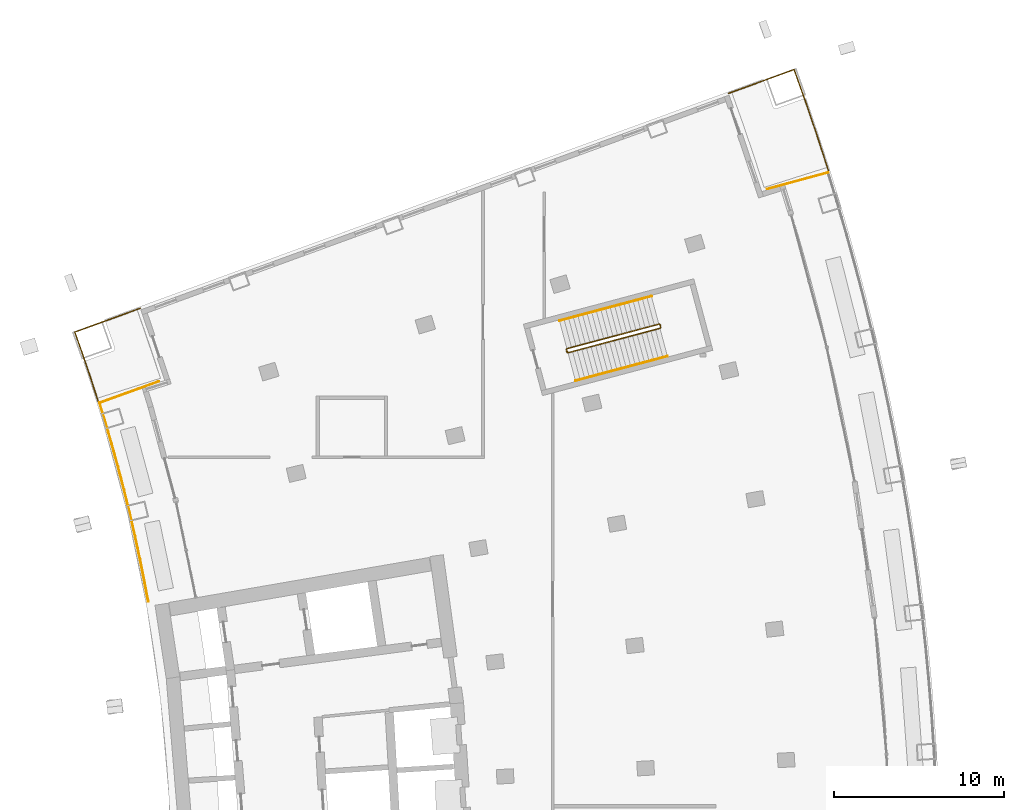
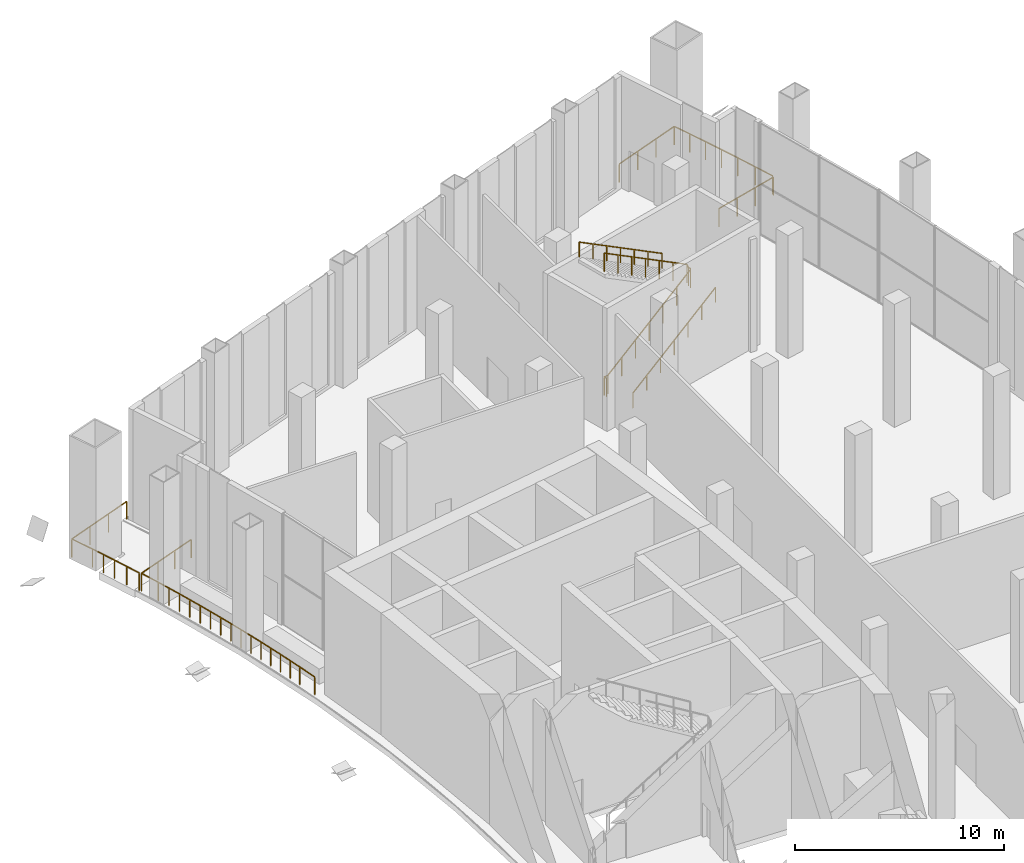
# One storey, part 17 of 18: 8 railings.
"""IFC4 building model written with IfcOpenShell, lengths in metres."""

from ifc_helpers import new_model, si_unit, direction, frame, origin, origin_2d, place, context, subcontext, project, spatial, rectangle, extrude, material, type_object, element, save


model = new_model("IFC4")

# Units and contexts
model_context = context("Model", 3, precision=1e-05, world=origin(), true_north=direction((0.0, 1.0)))
body_context = subcontext(model_context, "Body", "Model", "MODEL_VIEW")
ifc_project = project(units=[si_unit("LENGTHUNIT", "METRE"), si_unit("AREAUNIT", "SQUARE_METRE"), si_unit("VOLUMEUNIT", "CUBIC_METRE"), si_unit("PLANEANGLEUNIT", "RADIAN"), si_unit("MASSUNIT", "GRAM", prefix="KILO")], contexts=[model_context])

# Site, building, storey
site_placement = place(None, origin())
site = spatial("IfcSite", under=ifc_project, at=site_placement, CompositionType="ELEMENT")
building_placement = place(site_placement, origin())
building = spatial("IfcBuilding", under=site, at=building_placement, Name="Alderwake Tower", CompositionType="ELEMENT")
storey_placement = place(building_placement, frame((0.0, 0.0, 125.60009765625)))
storey = spatial("IfcBuildingStorey", under=building, at=storey_placement, Name="L31", CompositionType="ELEMENT", Elevation=125.60009765625)

# Railings
ifc_material_1 = material(Name="Stainless steel 316 rail and posts", Category="steel")
railing_type_1 = type_object("IfcRailingType", Name="Balcony guard 1100", PredefinedType="GUARDRAIL", material=ifc_material_1)
railing_1_placement = place(storey_placement, frame((54.594970703125, 103.348876953125, 0.0)))
element("IfcRailing", 1, at=railing_1_placement, inside=storey, type_object=railing_type_1, Name="Guard terrace FN", PredefinedType="GUARDRAIL", context=body_context, shape_type="SweptSolid", body=[
    extrude(rectangle(XDim=0.048095703125, YDim=0.048095703125, at=origin_2d()), frame((0.0, 0.0, 1.076171875), z_axis=(-0.307779974329, 0.951457559433, 0.0), x_axis=(-0.951457559433, -0.307779974329, 0.0)), (0.0, 0.0, 1.0), 2.257568359375),
    extrude(rectangle(XDim=0.048095703125, YDim=0.048095703125, at=origin_2d()), frame((-0.69482421875, 2.14794921875, 1.076171875), z_axis=(-0.322236651578, 0.946659146884, 0.0), x_axis=(-0.946659146884, -0.322236651578, 0.0)), (0.0, 0.0, 1.0), 2.057861328125),
    extrude(rectangle(XDim=0.048095703125, YDim=0.048095703125, at=origin_2d()), frame((-1.35791015625, 4.095947265625, 1.076171875), z_axis=(-0.335838646603, 0.941919531302, 0.0), x_axis=(-0.941919531302, -0.335838646603, 0.0)), (0.0, 0.0, 1.0), 1.957763671875),
    extrude(rectangle(XDim=0.048095703125, YDim=0.048095703125, at=origin_2d()), frame((-2.015380859375, 5.93994140625, 1.076171875), z_axis=(-0.939617696184, -0.342225926863, 0.0), x_axis=(0.342225926863, -0.939617696184, 0.0)), (0.0, 0.0, 1.0), 4.099853515625),
    extrude(rectangle(XDim=0.0419921875, YDim=0.0419921875, at=origin_2d()), frame((0.0, 0.0, 0.0), z_axis=(0.0, 0.0, 1.0), x_axis=(-0.307779974329, 0.951457559433, 0.0)), (0.0, 0.0, 1.0), 1.052001953125),
    extrude(rectangle(XDim=0.0419921875, YDim=0.0419921875, at=origin_2d()), frame((-0.347412109375, 1.073974609375, 0.0), z_axis=(0.0, 0.0, 1.0), x_axis=(-0.307779974329, 0.951457559433, 0.0)), (0.0, 0.0, 1.0), 1.052001953125),
    extrude(rectangle(XDim=0.0419921875, YDim=0.0419921875, at=origin_2d()), frame((-0.69482421875, 2.14794921875, 0.0), z_axis=(0.0, 0.0, 1.0), x_axis=(-0.322236651578, 0.946659146884, 0.0)), (0.0, 0.0, 1.0), 1.052001953125),
    extrude(rectangle(XDim=0.0419921875, YDim=0.0419921875, at=origin_2d()), frame((-1.0263671875, 3.1220703125, 0.0), z_axis=(0.0, 0.0, 1.0), x_axis=(-0.322236651578, 0.946659146884, 0.0)), (0.0, 0.0, 1.0), 1.052001953125),
    extrude(rectangle(XDim=0.0419921875, YDim=0.0419921875, at=origin_2d()), frame((-1.35791015625, 4.095947265625, 0.0), z_axis=(0.0, 0.0, 1.0), x_axis=(-0.335838646603, 0.941919531302, 0.0)), (0.0, 0.0, 1.0), 1.052001953125),
    extrude(rectangle(XDim=0.0419921875, YDim=0.0419921875, at=origin_2d()), frame((-1.6865234375, 5.01806640625, 0.0), z_axis=(0.0, 0.0, 1.0), x_axis=(-0.335838646603, 0.941919531302, 0.0)), (0.0, 0.0, 1.0), 1.052001953125),
    extrude(rectangle(XDim=0.0419921875, YDim=0.0419921875, at=origin_2d()), frame((-2.015380859375, 5.93994140625, 0.0), z_axis=(0.0, 0.0, 1.0), x_axis=(-0.939617696184, -0.342225926863, 0.0)), (0.0, 0.0, 1.0), 1.052001953125),
    extrude(rectangle(XDim=0.0419921875, YDim=0.0419921875, at=origin_2d()), frame((-3.299560546875, 5.47216796875, 0.0), z_axis=(0.0, 0.0, 1.0), x_axis=(-0.939617696184, -0.342225926863, 0.0)), (0.0, 0.0, 1.0), 1.052001953125),
    extrude(rectangle(XDim=0.0419921875, YDim=0.0419921875, at=origin_2d()), frame((-4.58349609375, 5.004638671875, 0.0), z_axis=(0.0, 0.0, 1.0), x_axis=(-0.939617696184, -0.342225926863, 0.0)), (0.0, 0.0, 1.0), 1.052001953125),
    extrude(rectangle(XDim=0.0419921875, YDim=0.0419921875, at=origin_2d()), frame((-5.86767578125, 4.536865234375, 0.0), z_axis=(0.0, 0.0, 1.0), x_axis=(-0.939617696184, -0.342225926863, 0.0)), (0.0, 0.0, 1.0), 1.052001953125),
])
railing_2_placement = place(storey_placement, frame((11.688720703125, 89.781982421875, 0.0)))
element("IfcRailing", 2, at=railing_2_placement, inside=storey, type_object=railing_type_1, Name="Guard terrace RN", PredefinedType="GUARDRAIL", context=body_context, shape_type="SweptSolid", body=[
    extrude(rectangle(XDim=0.048095703125, YDim=0.048095703125, at=origin_2d()), frame((0.0, 0.0, 1.076171875), z_axis=(-0.307479326145, 0.951554761426, 0.0), x_axis=(-0.951554761426, -0.307479326145, 0.0)), (0.0, 0.0, 1.0), 1.6015625),
    extrude(rectangle(XDim=0.048095703125, YDim=0.048095703125, at=origin_2d()), frame((-0.492431640625, 1.52392578125, 1.076171875), z_axis=(-0.322283727344, 0.946643121292, 0.0), x_axis=(-0.946643121292, -0.322283727344, 0.0)), (0.0, 0.0, 1.0), 1.4013671875),
    extrude(rectangle(XDim=0.048095703125, YDim=0.048095703125, at=origin_2d()), frame((-0.944091796875, 2.8505859375, 1.076171875), z_axis=(-0.335468607403, 0.942051385778, 0.0), x_axis=(-0.942051385778, -0.335468607403, 0.0)), (0.0, 0.0, 1.0), 1.30126953125),
    extrude(rectangle(XDim=0.048095703125, YDim=0.048095703125, at=origin_2d()), frame((-1.380615234375, 4.076416015625, 1.076171875), z_axis=(0.939708203232, 0.341977327873, 0.0), x_axis=(-0.341977327873, 0.939708203232, 0.0)), (0.0, 0.0, 1.0), 4.10009765625),
    extrude(rectangle(XDim=0.0419921875, YDim=0.0419921875, at=origin_2d()), frame((0.0, 0.0, 0.0), z_axis=(0.0, 0.0, 1.0), x_axis=(-0.307479326145, 0.951554761426, 0.0)), (0.0, 0.0, 1.0), 1.052001953125),
    extrude(rectangle(XDim=0.0419921875, YDim=0.0419921875, at=origin_2d()), frame((-0.24609375, 0.761962890625, 0.0), z_axis=(0.0, 0.0, 1.0), x_axis=(-0.307479326145, 0.951554761426, 0.0)), (0.0, 0.0, 1.0), 1.052001953125),
    extrude(rectangle(XDim=0.0419921875, YDim=0.0419921875, at=origin_2d()), frame((-0.492431640625, 1.52392578125, 0.0), z_axis=(0.0, 0.0, 1.0), x_axis=(-0.322283727344, 0.946643121292, 0.0)), (0.0, 0.0, 1.0), 1.052001953125),
    extrude(rectangle(XDim=0.0419921875, YDim=0.0419921875, at=origin_2d()), frame((-0.71826171875, 2.187255859375, 0.0), z_axis=(0.0, 0.0, 1.0), x_axis=(-0.322283727344, 0.946643121292, 0.0)), (0.0, 0.0, 1.0), 1.052001953125),
    extrude(rectangle(XDim=0.0419921875, YDim=0.0419921875, at=origin_2d()), frame((-0.944091796875, 2.8505859375, 0.0), z_axis=(0.0, 0.0, 1.0), x_axis=(-0.335468607403, 0.942051385778, 0.0)), (0.0, 0.0, 1.0), 1.052001953125),
    extrude(rectangle(XDim=0.0419921875, YDim=0.0419921875, at=origin_2d()), frame((-1.380615234375, 4.076416015625, 0.0), z_axis=(0.0, 0.0, 1.0), x_axis=(0.939708203232, 0.341977327873, 0.0)), (0.0, 0.0, 1.0), 1.052001953125),
    extrude(rectangle(XDim=0.0419921875, YDim=0.0419921875, at=origin_2d()), frame((-0.096435546875, 4.543701171875, 0.0), z_axis=(0.0, 0.0, 1.0), x_axis=(0.939708203232, 0.341977327873, 0.0)), (0.0, 0.0, 1.0), 1.052001953125),
    extrude(rectangle(XDim=0.0419921875, YDim=0.0419921875, at=origin_2d()), frame((1.18798828125, 5.01123046875, 0.0), z_axis=(0.0, 0.0, 1.0), x_axis=(0.939708203232, 0.341977327873, 0.0)), (0.0, 0.0, 1.0), 1.052001953125),
    extrude(rectangle(XDim=0.0419921875, YDim=0.0419921875, at=origin_2d()), frame((2.47216796875, 5.478515625, 0.0), z_axis=(0.0, 0.0, 1.0), x_axis=(0.939708203232, 0.341977327873, 0.0)), (0.0, 0.0, 1.0), 1.052001953125),
])
railing_3_placement = place(storey_placement, frame((54.5771484375, 103.23828125, 0.0)))
element("IfcRailing", 3, at=railing_3_placement, inside=storey, type_object=railing_type_1, Name="Guard garden terrace front end", PredefinedType="GUARDRAIL", context=body_context, shape_type="SweptSolid", body=[
    extrude(rectangle(XDim=0.048095703125, YDim=0.048095703125, at=origin_2d()), frame((0.0, 0.0, 1.076171875), z_axis=(-0.964915821237, -0.262559436939, 0.0), x_axis=(0.262559436939, -0.964915821237, 0.0)), (0.0, 0.0, 1.0), 3.70263671875),
    extrude(rectangle(XDim=0.0419921875, YDim=0.0419921875, at=origin_2d()), frame((0.0, 0.0, 0.0), z_axis=(0.0, 0.0, 1.0), x_axis=(-0.964915821237, -0.262559436939, 0.0)), (0.0, 0.0, 1.0), 1.052001953125),
    extrude(rectangle(XDim=0.0419921875, YDim=0.0419921875, at=origin_2d()), frame((-1.19091796875, -0.323974609375, 0.0), z_axis=(0.0, 0.0, 1.0), x_axis=(-0.964915821237, -0.262559436939, 0.0)), (0.0, 0.0, 1.0), 1.052001953125),
    extrude(rectangle(XDim=0.0419921875, YDim=0.0419921875, at=origin_2d()), frame((-2.3818359375, -0.648193359375, 0.0), z_axis=(0.0, 0.0, 1.0), x_axis=(-0.964915821237, -0.262559436939, 0.0)), (0.0, 0.0, 1.0), 1.052001953125),
    extrude(rectangle(XDim=0.0419921875, YDim=0.0419921875, at=origin_2d()), frame((-3.57275390625, -0.97216796875, 0.0), z_axis=(0.0, 0.0, 1.0), x_axis=(-0.964915821237, -0.262559436939, 0.0)), (0.0, 0.0, 1.0), 1.052001953125),
])
railing_4_placement = place(storey_placement, frame((14.62890625, 78.035888671875, 0.0)))
element("IfcRailing", 4, at=railing_4_placement, inside=storey, type_object=railing_type_1, Name="Guard garden terrace rear", PredefinedType="GUARDRAIL", context=body_context, shape_type="SweptSolid", body=[
    extrude(rectangle(XDim=0.048095703125, YDim=0.048095703125, at=origin_2d()), frame((0.0, 0.0, 1.076171875), z_axis=(-0.182977626426, 0.983117077579, 0.0), x_axis=(-0.983117077579, -0.182977626426, 0.0)), (0.0, 0.0, 1.0), 1.10205078125),
    extrude(rectangle(XDim=0.048095703125, YDim=0.048095703125, at=origin_2d()), frame((-0.20166015625, 1.08349609375, 1.076171875), z_axis=(-0.1955468343, 0.980694364007, 0.0), x_axis=(-0.980694364007, -0.1955468343, 0.0)), (0.0, 0.0, 1.0), 1.402099609375),
    extrude(rectangle(XDim=0.048095703125, YDim=0.048095703125, at=origin_2d()), frame((-0.475830078125, 2.45849609375, 1.076171875), z_axis=(-0.209957084556, 0.977710602707, 0.0), x_axis=(-0.977710602707, -0.209957084556, 0.0)), (0.0, 0.0, 1.0), 1.40234375),
    extrude(rectangle(XDim=0.048095703125, YDim=0.048095703125, at=origin_2d()), frame((-0.770263671875, 3.82958984375, 1.076171875), z_axis=(-0.224096426432, 0.974566976488, 0.0), x_axis=(-0.974566976488, -0.224096426432, 0.0)), (0.0, 0.0, 1.0), 1.402099609375),
    extrude(rectangle(XDim=0.048095703125, YDim=0.048095703125, at=origin_2d()), frame((-1.08447265625, 5.196044921875, 1.076171875), z_axis=(-0.238354767213, 0.971178153042, 0.0), x_axis=(-0.971178153042, -0.238354767213, 0.0)), (0.0, 0.0, 1.0), 1.40234375),
    extrude(rectangle(XDim=0.048095703125, YDim=0.048095703125, at=origin_2d()), frame((-1.418701171875, 6.557861328125, 1.076171875), z_axis=(-0.252478602314, 0.96760247797, 0.0), x_axis=(-0.96760247797, -0.252478602314, 0.0)), (0.0, 0.0, 1.0), 1.402099609375),
    extrude(rectangle(XDim=0.048095703125, YDim=0.048095703125, at=origin_2d()), frame((-1.772705078125, 7.91455078125, 1.076171875), z_axis=(-0.266386460688, 0.963866304817, 0.0), x_axis=(-0.963866304817, -0.266386460688, 0.0)), (0.0, 0.0, 1.0), 1.40234375),
    extrude(rectangle(XDim=0.048095703125, YDim=0.048095703125, at=origin_2d()), frame((-2.146240234375, 9.26611328125, 1.076171875), z_axis=(-0.280695326574, 0.959796923125, 0.0), x_axis=(-0.959796923125, -0.280695326574, 0.0)), (0.0, 0.0, 1.0), 1.402099609375),
    extrude(rectangle(XDim=0.048095703125, YDim=0.048095703125, at=origin_2d()), frame((-2.539794921875, 10.61181640625, 1.076171875), z_axis=(-0.293011807358, 0.95610882265, 0.0), x_axis=(-0.95610882265, -0.293011807358, 0.0)), (0.0, 0.0, 1.0), 1.102294921875),
    extrude(rectangle(XDim=0.0419921875, YDim=0.0419921875, at=origin_2d()), frame((0.0, 0.0, 0.0), z_axis=(0.0, 0.0, 1.0), x_axis=(-0.182977626426, 0.983117077579, 0.0)), (0.0, 0.0, 1.0), 1.052001953125),
    extrude(rectangle(XDim=0.0419921875, YDim=0.0419921875, at=origin_2d()), frame((-0.20166015625, 1.08349609375, 0.0), z_axis=(0.0, 0.0, 1.0), x_axis=(-0.1955468343, 0.980694364007, 0.0)), (0.0, 0.0, 1.0), 1.052001953125),
    extrude(rectangle(XDim=0.0419921875, YDim=0.0419921875, at=origin_2d()), frame((-0.3388671875, 1.77099609375, 0.0), z_axis=(0.0, 0.0, 1.0), x_axis=(-0.1955468343, 0.980694364007, 0.0)), (0.0, 0.0, 1.0), 1.052001953125),
    extrude(rectangle(XDim=0.0419921875, YDim=0.0419921875, at=origin_2d()), frame((-0.475830078125, 2.45849609375, 0.0), z_axis=(0.0, 0.0, 1.0), x_axis=(-0.209957084556, 0.977710602707, 0.0)), (0.0, 0.0, 1.0), 1.052001953125),
    extrude(rectangle(XDim=0.0419921875, YDim=0.0419921875, at=origin_2d()), frame((-0.623046875, 3.14404296875, 0.0), z_axis=(0.0, 0.0, 1.0), x_axis=(-0.209957084556, 0.977710602707, 0.0)), (0.0, 0.0, 1.0), 1.052001953125),
    extrude(rectangle(XDim=0.0419921875, YDim=0.0419921875, at=origin_2d()), frame((-0.770263671875, 3.82958984375, 0.0), z_axis=(0.0, 0.0, 1.0), x_axis=(-0.224096426432, 0.974566976488, 0.0)), (0.0, 0.0, 1.0), 1.052001953125),
    extrude(rectangle(XDim=0.0419921875, YDim=0.0419921875, at=origin_2d()), frame((-0.92724609375, 4.5126953125, 0.0), z_axis=(0.0, 0.0, 1.0), x_axis=(-0.224096426432, 0.974566976488, 0.0)), (0.0, 0.0, 1.0), 1.052001953125),
    extrude(rectangle(XDim=0.0419921875, YDim=0.0419921875, at=origin_2d()), frame((-1.08447265625, 5.196044921875, 0.0), z_axis=(0.0, 0.0, 1.0), x_axis=(-0.238354767213, 0.971178153042, 0.0)), (0.0, 0.0, 1.0), 1.052001953125),
    extrude(rectangle(XDim=0.0419921875, YDim=0.0419921875, at=origin_2d()), frame((-1.25146484375, 5.876953125, 0.0), z_axis=(0.0, 0.0, 1.0), x_axis=(-0.238354767213, 0.971178153042, 0.0)), (0.0, 0.0, 1.0), 1.052001953125),
    extrude(rectangle(XDim=0.0419921875, YDim=0.0419921875, at=origin_2d()), frame((-1.418701171875, 6.557861328125, 0.0), z_axis=(0.0, 0.0, 1.0), x_axis=(-0.252478602314, 0.96760247797, 0.0)), (0.0, 0.0, 1.0), 1.052001953125),
    extrude(rectangle(XDim=0.0419921875, YDim=0.0419921875, at=origin_2d()), frame((-1.595703125, 7.236328125, 0.0), z_axis=(0.0, 0.0, 1.0), x_axis=(-0.252478602314, 0.96760247797, 0.0)), (0.0, 0.0, 1.0), 1.052001953125),
    extrude(rectangle(XDim=0.0419921875, YDim=0.0419921875, at=origin_2d()), frame((-1.772705078125, 7.91455078125, 0.0), z_axis=(0.0, 0.0, 1.0), x_axis=(-0.266386460688, 0.963866304817, 0.0)), (0.0, 0.0, 1.0), 1.052001953125),
    extrude(rectangle(XDim=0.0419921875, YDim=0.0419921875, at=origin_2d()), frame((-1.95947265625, 8.59033203125, 0.0), z_axis=(0.0, 0.0, 1.0), x_axis=(-0.266386460688, 0.963866304817, 0.0)), (0.0, 0.0, 1.0), 1.052001953125),
    extrude(rectangle(XDim=0.0419921875, YDim=0.0419921875, at=origin_2d()), frame((-2.146240234375, 9.26611328125, 0.0), z_axis=(0.0, 0.0, 1.0), x_axis=(-0.280695326574, 0.959796923125, 0.0)), (0.0, 0.0, 1.0), 1.052001953125),
    extrude(rectangle(XDim=0.0419921875, YDim=0.0419921875, at=origin_2d()), frame((-2.343017578125, 9.93896484375, 0.0), z_axis=(0.0, 0.0, 1.0), x_axis=(-0.280695326574, 0.959796923125, 0.0)), (0.0, 0.0, 1.0), 1.052001953125),
    extrude(rectangle(XDim=0.0419921875, YDim=0.0419921875, at=origin_2d()), frame((-2.539794921875, 10.61181640625, 0.0), z_axis=(0.0, 0.0, 1.0), x_axis=(-0.293011807358, 0.95610882265, 0.0)), (0.0, 0.0, 1.0), 1.052001953125),
    extrude(rectangle(XDim=0.0419921875, YDim=0.0419921875, at=origin_2d()), frame((-2.86279296875, 11.665771484375, 0.0), z_axis=(0.0, 0.0, 1.0), x_axis=(-0.293011807358, 0.95610882265, 0.0)), (0.0, 0.0, 1.0), 1.052001953125),
])
railing_5_placement = place(storey_placement, frame((11.76611328125, 89.70166015625, 0.0)))
element("IfcRailing", 5, at=railing_5_placement, inside=storey, type_object=railing_type_1, Name="Guard garden terrace rear end", PredefinedType="GUARDRAIL", context=body_context, shape_type="SweptSolid", body=[
    extrude(rectangle(XDim=0.048095703125, YDim=0.048095703125, at=origin_2d()), frame((0.0, 0.0, 1.076171875), z_axis=(0.940490122312, 0.33982102618, 0.0), x_axis=(-0.33982102618, 0.940490122312, 0.0)), (0.0, 0.0, 1.0), 3.70361328125),
    extrude(rectangle(XDim=0.0419921875, YDim=0.0419921875, at=origin_2d()), frame((0.0, 0.0, 0.0), z_axis=(0.0, 0.0, 1.0), x_axis=(0.940490122312, 0.33982102618, 0.0)), (0.0, 0.0, 1.0), 1.052001953125),
    extrude(rectangle(XDim=0.0419921875, YDim=0.0419921875, at=origin_2d()), frame((1.1611328125, 0.41943359375, 0.0), z_axis=(0.0, 0.0, 1.0), x_axis=(0.940490122312, 0.33982102618, 0.0)), (0.0, 0.0, 1.0), 1.052001953125),
    extrude(rectangle(XDim=0.0419921875, YDim=0.0419921875, at=origin_2d()), frame((2.322021484375, 0.839111328125, 0.0), z_axis=(0.0, 0.0, 1.0), x_axis=(0.940490122312, 0.33982102618, 0.0)), (0.0, 0.0, 1.0), 1.052001953125),
    extrude(rectangle(XDim=0.0419921875, YDim=0.0419921875, at=origin_2d()), frame((3.483154296875, 1.258544921875, 0.0), z_axis=(0.0, 0.0, 1.0), x_axis=(0.940490122312, 0.33982102618, 0.0)), (0.0, 0.0, 1.0), 1.052001953125),
])
ifc_material_2 = material(Name="Stainless steel guard", Category="steel")
railing_type_2 = type_object("IfcRailingType", Name="Stair guard 1100", PredefinedType="GUARDRAIL", material=ifc_material_2)
railing_6_placement = place(storey_placement, frame((39.23291015625, 92.6806640625, 0.0)))
element("IfcRailing", 6, at=railing_6_placement, inside=storey, type_object=railing_type_2, Name="L31 ST-A stair guard 1", PredefinedType="GUARDRAIL", context=body_context, shape_type="SweptSolid", body=[
    extrude(rectangle(XDim=0.048095703125, YDim=0.048095703125, at=origin_2d()), frame((0.0, 0.0, 1.076171875), z_axis=(-0.257055032184, 0.966396766566, 0.0), x_axis=(-0.966396766566, -0.257055032184, 0.0)), (0.0, 0.0, 1.0), 0.150146484375),
    extrude(rectangle(XDim=0.048095703125, YDim=0.048095703125, at=origin_2d()), frame((-0.03857421875, 0.14501953125, 1.076171875), z_axis=(0.372402481115, -0.672873920646, 0.639184698638), x_axis=(0.874937996095, 0.484234966715, 0.0)), (0.0, 0.0, 1.0), 0.26806640625),
    extrude(rectangle(XDim=0.048095703125, YDim=0.048095703125, at=origin_2d()), frame((0.061279296875, -0.035400390625, 1.24755859375), z_axis=(0.824125601407, 0.219518951081, 0.522138318094), x_axis=(-0.257391295463, 0.966307260151, 0.0)), (0.0, 0.0, 1.0), 6.566162109375),
    extrude(rectangle(XDim=0.048095703125, YDim=0.048095703125, at=origin_2d()), frame((5.47265625, 1.406005859375, 4.67578125), z_axis=(0.500220121494, 0.865898279276, 0.0), x_axis=(-0.865898279276, 0.500220121494, 0.0)), (0.0, 0.0, 1.0), 0.07080078125),
    extrude(rectangle(XDim=0.048095703125, YDim=0.048095703125, at=origin_2d()), frame((5.508056640625, 1.46728515625, 4.67578125), z_axis=(-0.257459803502, 0.966289009345, 0.0), x_axis=(-0.966289009345, -0.257459803502, 0.0)), (0.0, 0.0, 1.0), 0.14990234375),
    extrude(rectangle(XDim=0.048095703125, YDim=0.048095703125, at=origin_2d()), frame((5.469482421875, 1.612060546875, 4.67578125), z_axis=(-0.330400185694, 0.192184968571, 0.924067451623), x_axis=(-0.502800015978, -0.864402767194, 0.0)), (0.0, 0.0, 1.0), 0.185546875),
    extrude(rectangle(XDim=0.048095703125, YDim=0.048095703125, at=origin_2d()), frame((5.408203125, 1.647705078125, 4.84716796875), z_axis=(-0.824109601868, -0.219514689349, 0.522165361996), x_axis=(0.257391295463, -0.966307260151, 0.0)), (0.0, 0.0, 1.0), 6.56640625),
    extrude(rectangle(XDim=0.0419921875, YDim=0.0419921875, at=origin_2d()), frame((0.0, 0.0, 0.0), z_axis=(0.0, 0.0, 1.0), x_axis=(-0.257055032184, 0.966396766566, 0.0)), (0.0, 0.0, 1.0), 1.052001953125),
    extrude(rectangle(XDim=0.0419921875, YDim=0.0419921875, at=origin_2d()), frame((-0.03857421875, 0.14501953125, 0.0), z_axis=(0.0, 0.0, 1.0), x_axis=(0.484234966715, -0.874937996095, 0.0)), (0.0, 0.0, 1.0), 1.052001953125),
    extrude(rectangle(XDim=0.0419921875, YDim=0.0419921875, at=origin_2d()), frame((0.061279296875, -0.035400390625, 0.17138671875), z_axis=(0.0, 0.0, 1.0), x_axis=(0.966307260151, 0.257391295463, 0.0)), (0.0, 0.0, 1.0), 1.052001953125),
    extrude(rectangle(XDim=0.0419921875, YDim=0.0419921875, at=origin_2d()), frame((0.963134765625, 0.204833984375, 0.74267578125), z_axis=(0.0, 0.0, 1.0), x_axis=(0.966307260151, 0.257391295463, 0.0)), (0.0, 0.0, 1.0), 1.052001953125),
    extrude(rectangle(XDim=0.0419921875, YDim=0.0419921875, at=origin_2d()), frame((1.864990234375, 0.445068359375, 1.314208984375), z_axis=(0.0, 0.0, 1.0), x_axis=(0.966307260151, 0.257391295463, 0.0)), (0.0, 0.0, 1.0), 1.052001953125),
    extrude(rectangle(XDim=0.0419921875, YDim=0.0419921875, at=origin_2d()), frame((2.76708984375, 0.685302734375, 1.8857421875), z_axis=(0.0, 0.0, 1.0), x_axis=(0.966307260151, 0.257391295463, 0.0)), (0.0, 0.0, 1.0), 1.052001953125),
    extrude(rectangle(XDim=0.0419921875, YDim=0.0419921875, at=origin_2d()), frame((3.6689453125, 0.925537109375, 2.45703125), z_axis=(0.0, 0.0, 1.0), x_axis=(0.966307260151, 0.257391295463, 0.0)), (0.0, 0.0, 1.0), 1.052001953125),
    extrude(rectangle(XDim=0.0419921875, YDim=0.0419921875, at=origin_2d()), frame((4.57080078125, 1.165771484375, 3.0283203125), z_axis=(0.0, 0.0, 1.0), x_axis=(0.966307260151, 0.257391295463, 0.0)), (0.0, 0.0, 1.0), 1.052001953125),
    extrude(rectangle(XDim=0.0419921875, YDim=0.0419921875, at=origin_2d()), frame((5.47265625, 1.406005859375, 3.599853515625), z_axis=(0.0, 0.0, 1.0), x_axis=(0.500220121494, 0.865898279276, 0.0)), (0.0, 0.0, 1.0), 1.052001953125),
    extrude(rectangle(XDim=0.0419921875, YDim=0.0419921875, at=origin_2d()), frame((5.508056640625, 1.46728515625, 3.599853515625), z_axis=(0.0, 0.0, 1.0), x_axis=(-0.257459803502, 0.966289009345, 0.0)), (0.0, 0.0, 1.0), 1.052001953125),
    extrude(rectangle(XDim=0.0419921875, YDim=0.0419921875, at=origin_2d()), frame((5.469482421875, 1.612060546875, 3.599853515625), z_axis=(0.0, 0.0, 1.0), x_axis=(-0.864402767194, 0.502800015978, 0.0)), (0.0, 0.0, 1.0), 1.052001953125),
    extrude(rectangle(XDim=0.0419921875, YDim=0.0419921875, at=origin_2d()), frame((5.408203125, 1.647705078125, 3.771240234375), z_axis=(0.0, 0.0, 1.0), x_axis=(-0.966307260151, -0.257391295463, 0.0)), (0.0, 0.0, 1.0), 1.052001953125),
    extrude(rectangle(XDim=0.0419921875, YDim=0.0419921875, at=origin_2d()), frame((4.50634765625, 1.407470703125, 4.3427734375), z_axis=(0.0, 0.0, 1.0), x_axis=(-0.966307260151, -0.257391295463, 0.0)), (0.0, 0.0, 1.0), 1.052001953125),
    extrude(rectangle(XDim=0.0419921875, YDim=0.0419921875, at=origin_2d()), frame((3.6044921875, 1.167236328125, 4.9140625), z_axis=(0.0, 0.0, 1.0), x_axis=(-0.966307260151, -0.257391295463, 0.0)), (0.0, 0.0, 1.0), 1.052001953125),
    extrude(rectangle(XDim=0.0419921875, YDim=0.0419921875, at=origin_2d()), frame((2.70263671875, 0.927001953125, 5.485595703125), z_axis=(0.0, 0.0, 1.0), x_axis=(-0.966307260151, -0.257391295463, 0.0)), (0.0, 0.0, 1.0), 1.052001953125),
    extrude(rectangle(XDim=0.0419921875, YDim=0.0419921875, at=origin_2d()), frame((1.800537109375, 0.686767578125, 6.05712890625), z_axis=(0.0, 0.0, 1.0), x_axis=(-0.966307260151, -0.257391295463, 0.0)), (0.0, 0.0, 1.0), 1.052001953125),
    extrude(rectangle(XDim=0.0419921875, YDim=0.0419921875, at=origin_2d()), frame((0.898681640625, 0.446533203125, 6.62841796875), z_axis=(0.0, 0.0, 1.0), x_axis=(-0.966307260151, -0.257391295463, 0.0)), (0.0, 0.0, 1.0), 1.052001953125),
    extrude(rectangle(XDim=0.0419921875, YDim=0.0419921875, at=origin_2d()), frame((-0.003173828125, 0.206298828125, 7.199951171875), z_axis=(0.0, 0.0, 1.0), x_axis=(-0.966307260151, -0.257391295463, 0.0)), (0.0, 0.0, 1.0), 1.052001953125),
])
ifc_material_3 = material(Name="Stainless steel handrail", Category="steel")
railing_type_3 = type_object("IfcRailingType", Name="Stair handrail 900", PredefinedType="HANDRAIL", material=ifc_material_3)
railing_7_placement = place(storey_placement, frame((39.731689453125, 91.002685546875, 0.17138671875)))
element("IfcRailing", 7, at=railing_7_placement, inside=storey, type_object=railing_type_3, Name="L31 ST-A stair handrail 1", PredefinedType="HANDRAIL", context=body_context, shape_type="SweptSolid", body=[
    extrude(rectangle(XDim=0.048095703125, YDim=0.048095703125, at=origin_2d()), frame((0.0, 0.0, 0.8759765625), z_axis=(0.82413232745, 0.219483560972, 0.522142579489), x_axis=(-0.257350586944, 0.966318102593, 0.0)), (0.0, 0.0, 1.0), 6.566162109375),
    extrude(rectangle(XDim=0.0419921875, YDim=0.0419921875, at=origin_2d()), frame((0.0, 0.0, 0.0), z_axis=(0.0, 0.0, 1.0), x_axis=(0.966318102593, 0.257350586944, 0.0)), (0.0, 0.0, 1.0), 0.851806640625),
    extrude(rectangle(XDim=0.0419921875, YDim=0.0419921875, at=origin_2d()), frame((0.90185546875, 0.240234375, 0.5712890625), z_axis=(0.0, 0.0, 1.0), x_axis=(0.966318102593, 0.257350586944, 0.0)), (0.0, 0.0, 1.0), 0.851806640625),
    extrude(rectangle(XDim=0.0419921875, YDim=0.0419921875, at=origin_2d()), frame((1.8037109375, 0.48046875, 1.142822265625), z_axis=(0.0, 0.0, 1.0), x_axis=(0.966318102593, 0.257350586944, 0.0)), (0.0, 0.0, 1.0), 0.851806640625),
    extrude(rectangle(XDim=0.0419921875, YDim=0.0419921875, at=origin_2d()), frame((2.70556640625, 0.720703125, 1.71435546875), z_axis=(0.0, 0.0, 1.0), x_axis=(0.966318102593, 0.257350586944, 0.0)), (0.0, 0.0, 1.0), 0.851806640625),
    extrude(rectangle(XDim=0.0419921875, YDim=0.0419921875, at=origin_2d()), frame((3.607666015625, 0.960693359375, 2.28564453125), z_axis=(0.0, 0.0, 1.0), x_axis=(0.966318102593, 0.257350586944, 0.0)), (0.0, 0.0, 1.0), 0.851806640625),
    extrude(rectangle(XDim=0.0419921875, YDim=0.0419921875, at=origin_2d()), frame((4.509521484375, 1.200927734375, 2.85693359375), z_axis=(0.0, 0.0, 1.0), x_axis=(0.966318102593, 0.257350586944, 0.0)), (0.0, 0.0, 1.0), 0.851806640625),
    extrude(rectangle(XDim=0.0419921875, YDim=0.0419921875, at=origin_2d()), frame((5.411376953125, 1.441162109375, 3.428466796875), z_axis=(0.0, 0.0, 1.0), x_axis=(0.966318102593, 0.257350586944, 0.0)), (0.0, 0.0, 1.0), 0.851806640625),
])
railing_8_placement = place(storey_placement, frame((44.20361328125, 95.970947265625, 3.771240234375)))
element("IfcRailing", 8, at=railing_8_placement, inside=storey, type_object=railing_type_3, Name="L31 ST-A stair handrail 2", PredefinedType="HANDRAIL", context=body_context, shape_type="SweptSolid", body=[
    extrude(rectangle(XDim=0.048095703125, YDim=0.048095703125, at=origin_2d()), frame((0.0, 0.0, 0.8759765625), z_axis=(-0.824109601868, -0.219514689349, 0.522165361996), x_axis=(0.257391295463, -0.966307260151, 0.0)), (0.0, 0.0, 1.0), 6.56640625),
    extrude(rectangle(XDim=0.0419921875, YDim=0.0419921875, at=origin_2d()), frame((0.0, 0.0, 0.0), z_axis=(0.0, 0.0, 1.0), x_axis=(-0.966307260151, -0.257391295463, 0.0)), (0.0, 0.0, 1.0), 0.851806640625),
    extrude(rectangle(XDim=0.0419921875, YDim=0.0419921875, at=origin_2d()), frame((-0.90185546875, -0.240234375, 0.571533203125), z_axis=(0.0, 0.0, 1.0), x_axis=(-0.966307260151, -0.257391295463, 0.0)), (0.0, 0.0, 1.0), 0.851806640625),
    extrude(rectangle(XDim=0.0419921875, YDim=0.0419921875, at=origin_2d()), frame((-1.8037109375, -0.48046875, 1.142822265625), z_axis=(0.0, 0.0, 1.0), x_axis=(-0.966307260151, -0.257391295463, 0.0)), (0.0, 0.0, 1.0), 0.851806640625),
    extrude(rectangle(XDim=0.0419921875, YDim=0.0419921875, at=origin_2d()), frame((-2.70556640625, -0.720703125, 1.71435546875), z_axis=(0.0, 0.0, 1.0), x_axis=(-0.966307260151, -0.257391295463, 0.0)), (0.0, 0.0, 1.0), 0.851806640625),
    extrude(rectangle(XDim=0.0419921875, YDim=0.0419921875, at=origin_2d()), frame((-3.607666015625, -0.9609375, 2.285888671875), z_axis=(0.0, 0.0, 1.0), x_axis=(-0.966307260151, -0.257391295463, 0.0)), (0.0, 0.0, 1.0), 0.851806640625),
    extrude(rectangle(XDim=0.0419921875, YDim=0.0419921875, at=origin_2d()), frame((-4.509521484375, -1.201171875, 2.857177734375), z_axis=(0.0, 0.0, 1.0), x_axis=(-0.966307260151, -0.257391295463, 0.0)), (0.0, 0.0, 1.0), 0.851806640625),
    extrude(rectangle(XDim=0.0419921875, YDim=0.0419921875, at=origin_2d()), frame((-5.411376953125, -1.44140625, 3.4287109375), z_axis=(0.0, 0.0, 1.0), x_axis=(-0.966307260151, -0.257391295463, 0.0)), (0.0, 0.0, 1.0), 0.851806640625),
])

save(model, "model.ifc")
